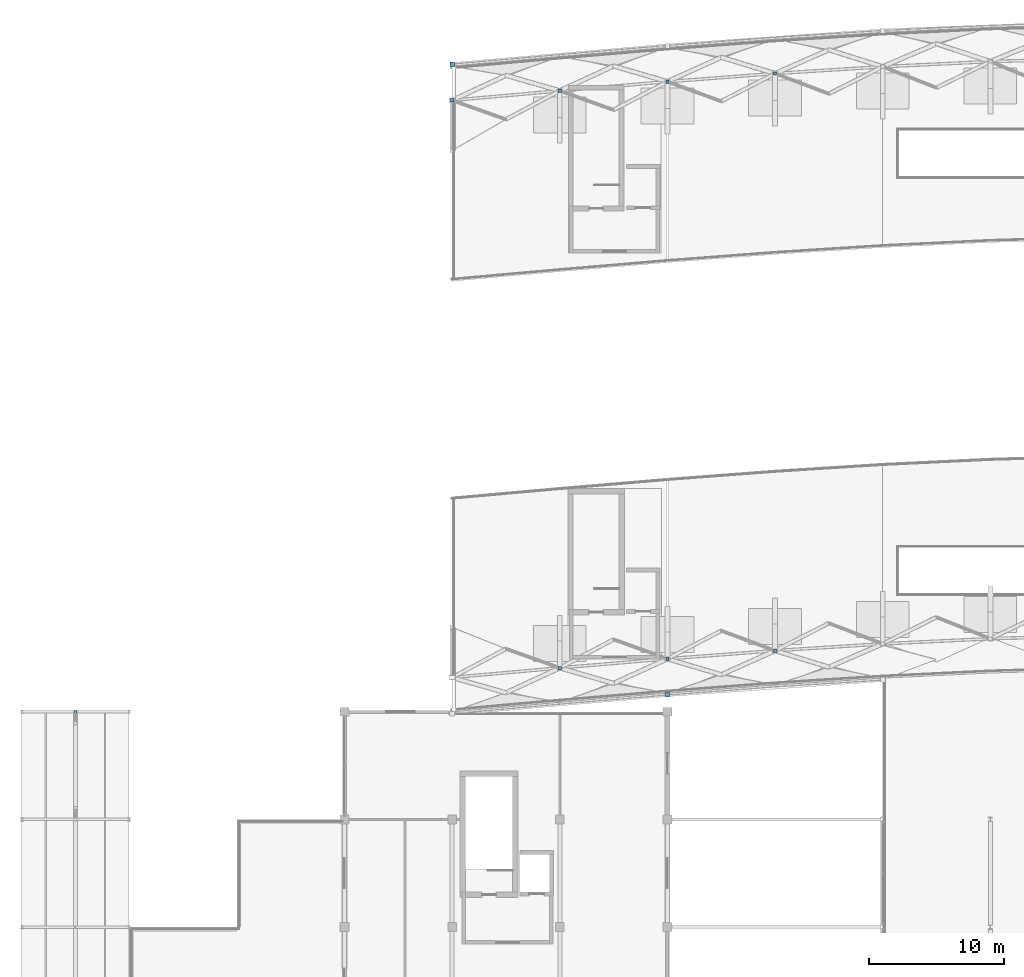
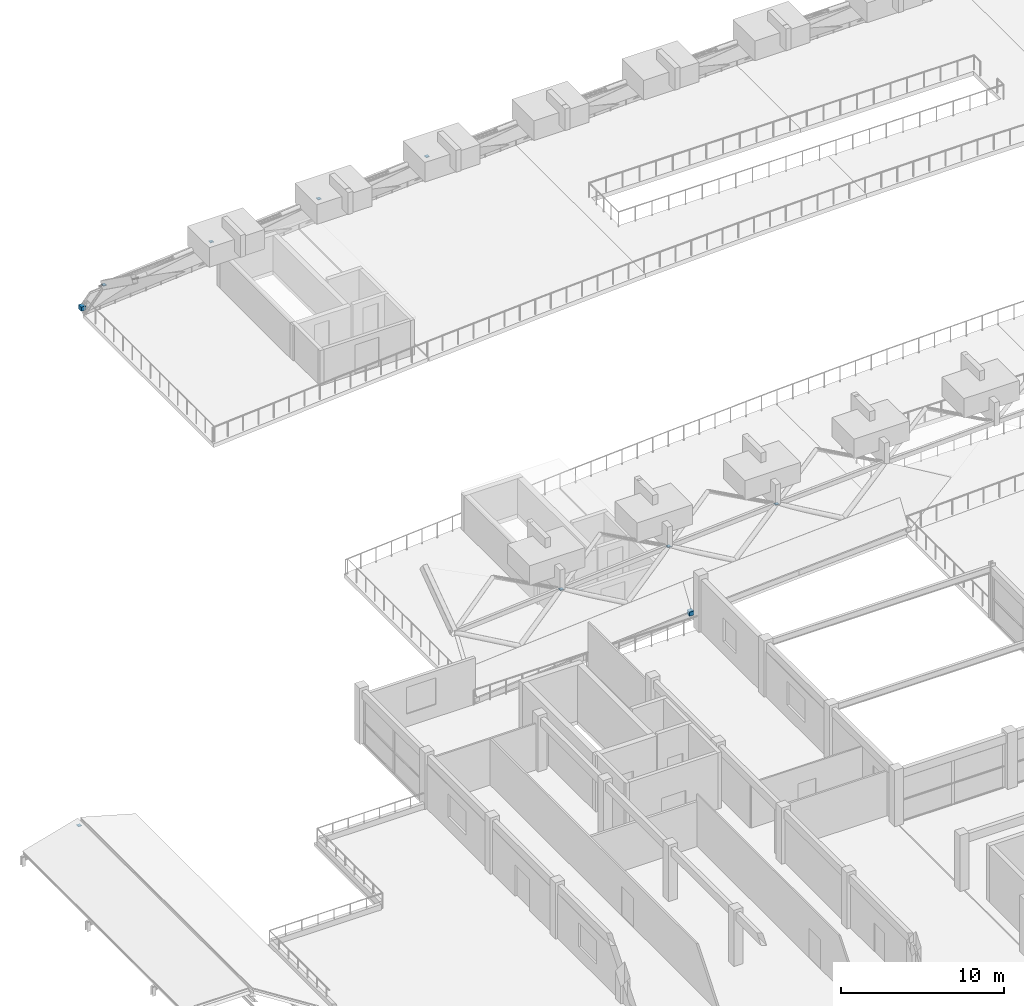
# One storey, part 54 of 67: 10 discrete accessories.
"""IFC4 building model written with IfcOpenShell, lengths in metres."""

import ifcopenshell
import ifcopenshell.guid

model = None  # the IFC model being written
_history = None  # IfcOwnerHistory: only IFC2X3 demands one
_inside = {}  # id of a spatial element -> (the spatial element, [elements in it])
_under = {}  # id of a project, library or spatial element -> (it, [spatial elements below it])
_declared = {}  # id of a project -> (the project, [libraries it declares])
_typed = {}  # id of a type object -> (the type object, [elements of that type])
_made_of = {}  # id of a material, layer set ... -> (it, [elements and type objects made of it])


def new_model(schema):
    """Start an empty IFC model of exactly this schema.

    Asked for "IFC4X3", IfcOpenShell would pick the latest addendum, in which some entities
    have other attributes; the version numbers below select the first issue.
    IFC2X3 requires an IfcOwnerHistory on every rooted entity: one is made here for all.
    """
    global model, _history
    if schema == "IFC4X3":
        model = ifcopenshell.file(schema_version=(4, 3, 0, 0))
    else:
        model = ifcopenshell.file(schema=schema)
    _inside.clear()
    _under.clear()
    _declared.clear()
    _typed.clear()
    _made_of.clear()
    _history = None
    if model.schema == "IFC2X3":
        org = make("IfcOrganization", Name="unknown")
        user = make(
            "IfcPersonAndOrganization",
            ThePerson=make("IfcPerson", FamilyName="unknown"),
            TheOrganization=org,
        )
        app = make(
            "IfcApplication",
            ApplicationDeveloper=org,
            Version="unknown",
            ApplicationFullName="unknown",
            ApplicationIdentifier="unknown",
        )
        _history = make(
            "IfcOwnerHistory",
            OwningUser=user,
            OwningApplication=app,
            ChangeAction="ADDED",
            CreationDate=0,
        )
    return model


def make(cls, **values):
    """One entity of the class cls with the attributes given. An attribute that is None is left unset."""
    return model.create_entity(
        cls, **{name: value for name, value in values.items() if value is not None}
    )


def rooted(cls, **values):
    """An entity with a GlobalId (a new one), such as an element, a storey or a relation."""
    return make(cls, GlobalId=ifcopenshell.guid.new(), OwnerHistory=_history, **values)


def si_unit(unit_type, name, prefix=None):
    """IfcSIUnit, for example si_unit("LENGTHUNIT", "METRE", prefix="MILLI")."""
    return make("IfcSIUnit", UnitType=unit_type, Prefix=prefix, Name=name)


def assignment(units):
    """IfcUnitAssignment: the units of a project."""
    return None if units is None else make("IfcUnitAssignment", Units=units)


def point(xyz):
    """IfcCartesianPoint."""
    return None if xyz is None else make("IfcCartesianPoint", Coordinates=xyz)


def direction(xyz):
    """IfcDirection."""
    return None if xyz is None else make("IfcDirection", DirectionRatios=xyz)


def frame(location, z_axis=None, x_axis=None):
    """IfcAxis2Placement3D, a coordinate frame: its origin and axes. An axis left out is left unset."""
    return make(
        "IfcAxis2Placement3D",
        Location=point(location),
        Axis=direction(z_axis),
        RefDirection=direction(x_axis),
    )


def frame_2d(location, x_axis=None):
    """IfcAxis2Placement2D, a coordinate frame in the plane: its origin and x axis."""
    return make(
        "IfcAxis2Placement2D", Location=point(location), RefDirection=direction(x_axis)
    )


def origin():
    """The frame at (0, 0, 0) with its axes left unset."""
    return frame((0.0, 0.0, 0.0))


def origin_2d():
    """The frame at (0, 0) in the plane with its x axis left unset."""
    return frame_2d((0.0, 0.0))


def place(relative_to, where):
    """IfcLocalPlacement: puts the frame where relative to a parent placement (None: the world)."""
    return make(
        "IfcLocalPlacement", PlacementRelTo=relative_to, RelativePlacement=where
    )


def context(
    kind, dimensions, precision=None, world=None, true_north=None, identifier=None
):
    """IfcGeometricRepresentationContext, for example the 3D "Model" context."""
    return make(
        "IfcGeometricRepresentationContext",
        ContextIdentifier=identifier,
        ContextType=kind,
        CoordinateSpaceDimension=dimensions,
        Precision=precision,
        WorldCoordinateSystem=world,
        TrueNorth=true_north,
    )


def subcontext(parent, identifier, kind, view, scale=None):
    """IfcGeometricRepresentationSubContext, for example "Body" below "Model"."""
    return make(
        "IfcGeometricRepresentationSubContext",
        ContextIdentifier=identifier,
        ContextType=kind,
        ParentContext=parent,
        TargetScale=scale,
        TargetView=view,
    )


def project(units=None, contexts=None):
    """IfcProject with its units and contexts."""
    return rooted(
        "IfcProject",
        Name="project",
        RepresentationContexts=contexts,
        UnitsInContext=assignment(units),
    )


def spatial(cls, under=None, at=None, **own):
    """A site, building, storey or space (cls), placed at a placement, below another one or the project."""
    s = rooted(cls, ObjectPlacement=at, **own)
    if under is not None:
        _under.setdefault(under.id(), (under, []))[1].append(s)
    return s


def profile(cls, at=None, kind="AREA", **sizes):
    """A parametric profile (cls). Its sizes go by their IFC names, for example OverallWidth=200.0."""
    return make(cls, ProfileType=kind, Position=at, **sizes)


def rectangle(**sizes):
    """IfcRectangleProfileDef."""
    return profile("IfcRectangleProfileDef", **sizes)


def extrude(swept, where, along, depth):
    """IfcExtrudedAreaSolid: the profile swept, set in the frame where, extruded along a direction by depth."""
    return make(
        "IfcExtrudedAreaSolid",
        SweptArea=swept,
        Position=where,
        ExtrudedDirection=direction(along),
        Depth=depth,
    )


def shape(context_of_items, identifier, shape_type, items):
    """IfcShapeRepresentation: the items that make up one representation, for example the "Body"."""
    return make(
        "IfcShapeRepresentation",
        ContextOfItems=context_of_items,
        RepresentationIdentifier=identifier,
        RepresentationType=shape_type,
        Items=items,
    )


def material(Name=None, Category=None):
    """IfcMaterial."""
    return make("IfcMaterial", Name=Name, Category=Category)


def made_of(thing, what):
    """Note that an element or type object is made of a material, layer set ...; save() writes the relation."""
    if what is not None:
        _made_of.setdefault(what.id(), (what, []))[1].append(thing)
    return thing


def type_object(cls, material=None, **own):
    """A type object (cls), such as IfcWallType, which elements share."""
    return made_of(rooted(cls, **own), material)


def element(
    cls,
    number,
    at=None,
    inside=None,
    cuts=None,
    type_object=None,
    material=None,
    context=None,
    identifier="Body",
    shape_type=None,
    held_by="IfcProductDefinitionShape",
    body=None,
    shapes=None,
    **own,
):
    """One element of the class cls, such as IfcWall. Its Tag is "e" and its number.

    at: its placement. inside: the storey or other place that contains it. cuts: it is an
    opening in that element (IfcRelVoidsElement). A single representation is given by context,
    identifier, shape_type and body (its items); several are given by shapes. held_by: the class
    of the entity that holds the representations. save() writes the other relations.
    """
    e = rooted(cls, Tag="e%d" % number, ObjectPlacement=at, **own)
    if body is not None:
        shapes = [shape(context, identifier, shape_type, body)]
    if shapes is not None:
        e.Representation = make(held_by, Representations=shapes)
    if inside is not None:
        _inside.setdefault(inside.id(), (inside, []))[1].append(e)
    if cuts is not None:
        rooted(
            "IfcRelVoidsElement", RelatingBuildingElement=cuts, RelatedOpeningElement=e
        )
    if type_object is not None:
        _typed.setdefault(type_object.id(), (type_object, []))[1].append(e)
    return made_of(e, material)


def aggregate(whole, parts):
    """IfcRelAggregates: a whole, such as a stair, and the parts it consists of."""
    return rooted("IfcRelAggregates", RelatingObject=whole, RelatedObjects=parts)


def save(model, path):
    """Write the relations noted so far, then the file.

    IfcRelAggregates (storeys below a building ...), IfcRelContainedInSpatialStructure (elements
    in a storey), IfcRelDefinesByType, IfcRelAssociatesMaterial and IfcRelDeclares: one each for
    every whole, place, type object, material and project.
    """
    for whole, parts in _under.values():
        aggregate(whole, parts)
    for where, things in _inside.values():
        rooted(
            "IfcRelContainedInSpatialStructure",
            RelatedElements=things,
            RelatingStructure=where,
        )
    for kind, things in _typed.values():
        rooted("IfcRelDefinesByType", RelatedObjects=things, RelatingType=kind)
    for what, things in _made_of.values():
        rooted("IfcRelAssociatesMaterial", RelatedObjects=things, RelatingMaterial=what)
    for by, libraries in _declared.values():
        rooted("IfcRelDeclares", RelatingContext=by, RelatedDefinitions=libraries)
    model.write(path)


model = new_model("IFC4")

# Units and contexts
model_context = context("Model", 3, precision=1e-05, world=origin(), true_north=direction((0.0, 1.0)))
body_context = subcontext(model_context, "Body", "Model", "MODEL_VIEW")
ifc_project = project(units=[si_unit("LENGTHUNIT", "METRE"), si_unit("AREAUNIT", "SQUARE_METRE"), si_unit("VOLUMEUNIT", "CUBIC_METRE"), si_unit("PLANEANGLEUNIT", "RADIAN"), si_unit("MASSUNIT", "GRAM", prefix="KILO")], contexts=[model_context])

# Site, building, storey
site_placement = place(None, origin())
site = spatial("IfcSite", under=ifc_project, at=site_placement, CompositionType="ELEMENT")
building_placement = place(site_placement, origin())
building = spatial("IfcBuilding", under=site, at=building_placement, Name="Kenh Van Central Station", CompositionType="ELEMENT")
storey_placement = place(building_placement, frame((0.0, 0.0, 10.800048828125)))
storey = spatial("IfcBuildingStorey", under=building, at=storey_placement, Name="L02", CompositionType="ELEMENT", Elevation=10.800048828125)

# Discrete accessories
ifc_material_1 = material(Name="White fluoropolymer structural steel S355", Category="steel")
discrete_accessory_type_1 = type_object("IfcDiscreteAccessoryType", Name="ACC-BRKT-STL", PredefinedType="BRACKET", material=ifc_material_1)
for number, where, z_axis, x_axis, name in (
    (1, (48.0, 65.25830078125, 0.2900390625), (0.0, 0.0, 1.0), (1.0, 0.0, 0.0), "Barrel curb bracket 01-2"),
    (2, (32.0, 112.1298828125, 0.2900390625), (0.0, 0.0, 1.0), (1.0, 0.0, 0.0), "Barrel curb bracket 02-1"),
):
    element("IfcDiscreteAccessory", number, at=place(storey_placement, frame(where, z_axis=z_axis, x_axis=x_axis)), inside=storey, type_object=discrete_accessory_type_1, Name=name, PredefinedType="BRACKET", context=body_context, shape_type="SweptSolid", body=[
        extrude(rectangle(XDim=0.320068359375, YDim=0.340087890625, at=origin_2d()), origin(), (0.0, 0.0, 1.0), 0.300048828125),
    ])
ifc_material_2 = material(Name="Structural steel S355JR", Category="steel")
discrete_accessory_type_2 = type_object("IfcDiscreteAccessoryType", Name="ACC-END-NODE", PredefinedType="BRACKET", material=ifc_material_2)
discrete_accessory_placement = place(storey_placement, frame((4.0, 64.0, 0.658203125), z_axis=(0.0, 0.0, 1.0), x_axis=(1.0, 0.0, 0.0)))
element("IfcDiscreteAccessory", 3, at=discrete_accessory_placement, inside=storey, type_object=discrete_accessory_type_2, Name="L02 brace end connection node plate 0377", PredefinedType="BRACKET", context=body_context, shape_type="SweptSolid", body=[
    extrude(rectangle(XDim=0.239990234375, YDim=0.239990234375, at=origin_2d()), origin(), (0.0, 0.0, 1.0), 0.02490234375),
])
discrete_accessory_type_3 = type_object("IfcDiscreteAccessoryType", Name="ACC-END-NODE-VLT", PredefinedType="BRACKET", material=ifc_material_1)
for number, where, z_axis, x_axis, name in (
    (4, (32.0, 109.447509765625, 3.74951171875), (0.0, 0.0, 1.0), (1.0, 0.0, 0.0), "L02 brace end connection node plate 0019"),
    (5, (40.0, 67.264404296875, 3.74951171875), (0.0, 0.0, 1.0), (1.0, 0.0, 0.0), "L02 brace end connection node plate 0021"),
    (6, (40.0, 110.15966796875, 3.74951171875), (0.0, 0.0, 1.0), (1.0, 0.0, 0.0), "L02 brace end connection node plate 0040"),
    (7, (48.0, 67.94091796875, 3.74951171875), (0.0, 0.0, 1.0), (1.0, 0.0, 0.0), "L02 brace end connection node plate 0042"),
    (8, (48.0, 110.8359375, 3.74951171875), (0.0, 0.0, 1.0), (1.0, 0.0, 0.0), "L02 brace end connection node plate 0061"),
    (9, (56.0, 68.547607421875, 3.74951171875), (0.0, 0.0, 1.0), (1.0, 0.0, 0.0), "L02 brace end connection node plate 0063"),
    (10, (56.0, 111.44287109375, 3.74951171875), (0.0, 0.0, 1.0), (1.0, 0.0, 0.0), "L02 brace end connection node plate 0082"),
):
    element("IfcDiscreteAccessory", number, at=place(storey_placement, frame(where, z_axis=z_axis, x_axis=x_axis)), inside=storey, type_object=discrete_accessory_type_3, Name=name, PredefinedType="BRACKET", context=body_context, shape_type="SweptSolid", body=[
        extrude(rectangle(XDim=0.239990234375, YDim=0.239990234375, at=origin_2d()), origin(), (0.0, 0.0, 1.0), 0.02490234375),
    ])

save(model, "model.ifc")
